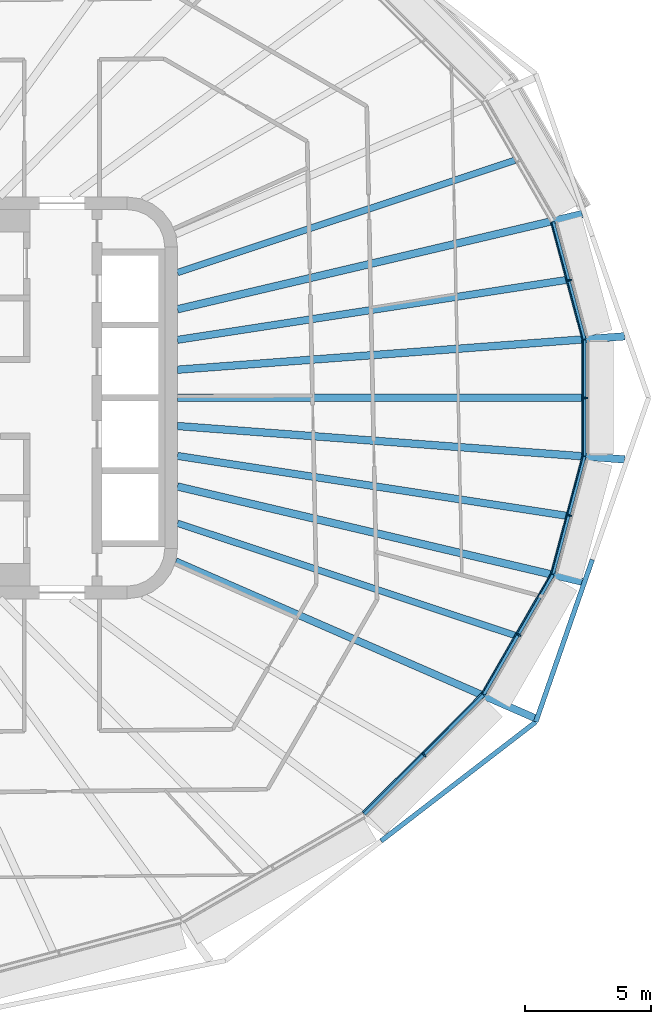
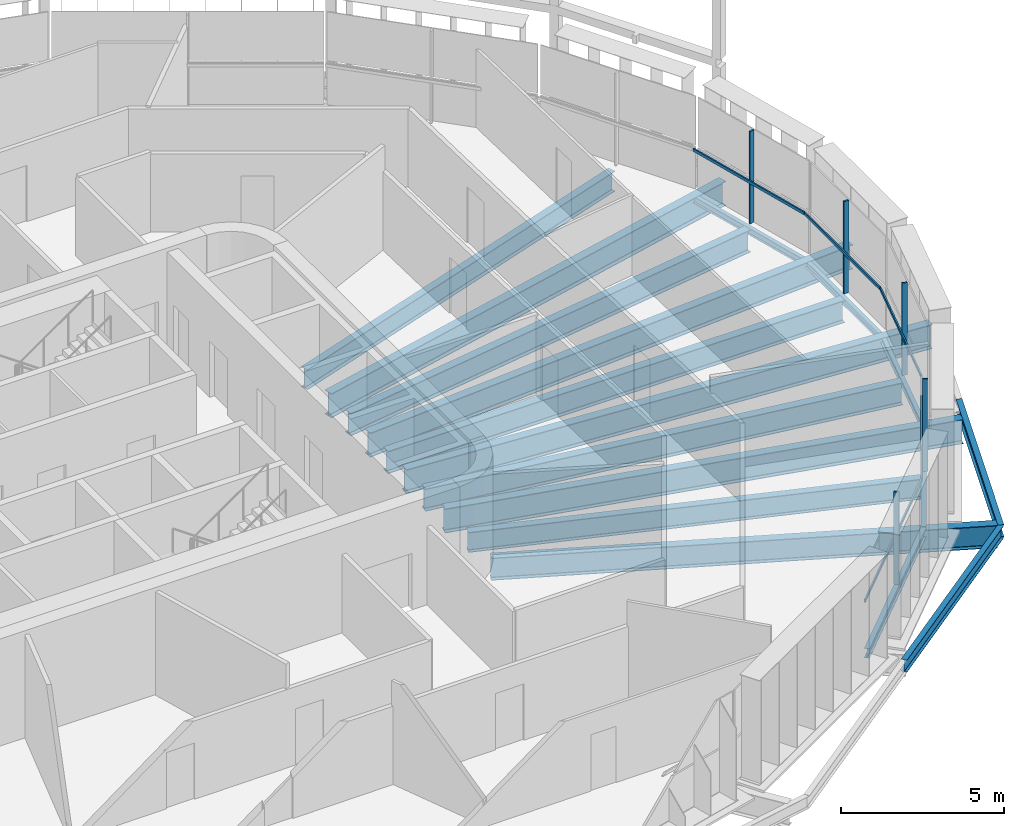
# One storey, part 5 of 24: 17 beams, 10 members, 5 elements without a shape of their own.
"""IFC4 building model written with IfcOpenShell, lengths in metres."""

from ifc_helpers import new_model, si_unit, direction, frame, origin, origin_2d, place, context, subcontext, project, spatial, rectangle, i_section, extrude, material, layer, layer_set, material_profile, profile_set, type_object, element, aggregate, save


model = new_model("IFC4")

# Units and contexts
model_context = context("Model", 3, precision=1e-05, world=origin(), true_north=direction((0.0, 1.0)))
body_context = subcontext(model_context, "Body", "Model", "MODEL_VIEW")
ifc_project = project(units=[si_unit("LENGTHUNIT", "METRE"), si_unit("AREAUNIT", "SQUARE_METRE"), si_unit("VOLUMEUNIT", "CUBIC_METRE"), si_unit("PLANEANGLEUNIT", "RADIAN"), si_unit("MASSUNIT", "GRAM", prefix="KILO")], contexts=[model_context])

# Site, building, storey
site_placement = place(None, origin())
site = spatial("IfcSite", under=ifc_project, at=site_placement, CompositionType="ELEMENT")
building_placement = place(site_placement, origin())
building = spatial("IfcBuilding", under=site, at=building_placement, Name="Sahrelin Media Tower", CompositionType="ELEMENT")
storey_placement = place(building_placement, frame((0.0, 0.0, 153.60009765625)))
storey = spatial("IfcBuildingStorey", under=building, at=storey_placement, Name="L31", CompositionType="ELEMENT", Elevation=153.60009765625)

# Beams
ifc_material_1 = material(Name="Steel S355", Category="steel")
ifc_material_profile_1 = material_profile(ifc_material_1, i_section(OverallWidth=0.14599609375, OverallDepth=0.25146484375, WebThickness=0.006103515625, FlangeThickness=0.008544921875, FilletRadius=0.007568359375, at=origin_2d()), Name="UB 254x146x31")
ifc_profile_set_1 = profile_set([ifc_material_profile_1], Name="Steel S355")
beam_type_1 = type_object("IfcBeamType", Name="Edge beam EB1", PredefinedType="BEAM", material=ifc_profile_set_1)
beam_1_placement = place(storey_placement, frame((31.201416015625, 2.30859375, -0.27587890625), z_axis=(0.0, -1.0, 0.0), x_axis=(1.0, 0.0, 0.0)))
element("IfcBeam", 1, at=beam_1_placement, inside=storey, type_object=beam_type_1, Name="Edge beam L31-01", PredefinedType="BEAM", context=body_context, shape_type="SweptSolid", body=[
    extrude(i_section(OverallWidth=0.14599609375, OverallDepth=0.25146484375, WebThickness=0.006103515625, FlangeThickness=0.008544921875, FilletRadius=0.007568359375, at=origin_2d()), origin(), (0.0, 0.0, 1.0), 4.6171875),
])
for number, where, z_axis, x_axis, name in (
    (2, (31.19775390625, -2.33740234375, -0.27587890625), (-0.258800908736, -0.965930685731, 0.0), (0.965930685731, -0.258800908736, 0.0), "Edge beam L31-02"),
    (3, (29.947265625, 7.004638671875, -0.27587890625), (0.258800908736, -0.965930685731, 0.0), (0.965930685731, 0.258800908736, 0.0), "Edge beam L31-24"),
):
    element("IfcBeam", number, at=place(storey_placement, frame(where, z_axis=z_axis, x_axis=x_axis)), inside=storey, type_object=beam_type_1, Name=name, PredefinedType="BEAM", context=body_context, shape_type="SweptSolid", body=[
        extrude(i_section(OverallWidth=0.14599609375, OverallDepth=0.25146484375, WebThickness=0.006103515625, FlangeThickness=0.008544921875, FilletRadius=0.007568359375, at=origin_2d()), origin(), (0.0, 0.0, 1.0), 4.831787109375),
    ])
ifc_material_profile_2 = material_profile(ifc_material_1, i_section(OverallWidth=0.1650390625, OverallDepth=0.303466796875, WebThickness=0.006103515625, FlangeThickness=0.01025390625, FilletRadius=0.0087890625, at=origin_2d()), Name="UB 305x165x40")
ifc_profile_set_2 = profile_set([ifc_material_profile_2], Name="Steel S355")
beam_type_2 = type_object("IfcBeamType", Name="Edge beam EB2", PredefinedType="BEAM", material=ifc_profile_set_2)
beam_2_placement = place(storey_placement, frame((29.936279296875, -7.03125, -0.3017578125), z_axis=(-0.499996181239, -0.866027608536, 0.0), x_axis=(0.866027608536, -0.499996181239, 0.0)))
element("IfcBeam", 4, at=beam_2_placement, inside=storey, type_object=beam_type_2, Name="Edge beam L31-03", PredefinedType="BEAM", context=body_context, shape_type="SweptSolid", body=[
    extrude(i_section(OverallWidth=0.1650390625, OverallDepth=0.303466796875, WebThickness=0.006103515625, FlangeThickness=0.01025390625, FilletRadius=0.0087890625, at=origin_2d()), origin(), (0.0, 0.0, 1.0), 5.50732421875),
])
ifc_material_profile_3 = material_profile(ifc_material_1, i_section(OverallWidth=0.17138671875, OverallDepth=0.35498046875, WebThickness=0.00732421875, FlangeThickness=0.011474609375, FilletRadius=0.01025390625, at=origin_2d()), Name="UB 356x171x51")
ifc_profile_set_3 = profile_set([ifc_material_profile_3], Name="Steel S355")
beam_type_3 = type_object("IfcBeamType", Name="Edge beam EB3", PredefinedType="BEAM", material=ifc_profile_set_3)
beam_3_placement = place(storey_placement, frame((27.1650390625, -11.823486328125, -0.32763671875), z_axis=(-0.707088574851, -0.707124987054, 0.0), x_axis=(0.707124987054, -0.707088574851, 0.0)))
element("IfcBeam", 5, at=beam_3_placement, inside=storey, type_object=beam_type_3, Name="Edge beam L31-04", PredefinedType="BEAM", context=body_context, shape_type="SweptSolid", body=[
    extrude(i_section(OverallWidth=0.17138671875, OverallDepth=0.35498046875, WebThickness=0.00732421875, FlangeThickness=0.011474609375, FilletRadius=0.01025390625, at=origin_2d()), origin(), (0.0, 0.0, 1.0), 6.704833984375),
])

# Curtain wall, member
ifc_material_2 = material(Name="Champagne anodised aluminium 6063-T6", Category="aluminium")
ifc_layer = layer(ifc_material_2, 0.14990234375)
ifc_layer_set = layer_set([ifc_layer], Name="Tower ribbon curtain wall")
curtain_wall_type = type_object("IfcCurtainWallType", Name="Tower ribbon curtain wall", PredefinedType="NOTDEFINED", material=ifc_layer_set)
curtain_wall_1_placement = place(storey_placement, frame((31.3515625, 0.0, 0.0), z_axis=(0.0, 0.0, 1.0), x_axis=(1.0, 0.0, 0.0)))
curtain_wall_1 = element("IfcCurtainWall", 6, at=curtain_wall_1_placement, inside=storey, type_object=curtain_wall_type, Name="L31:CW:L31-00", PredefinedType="NOTDEFINED")
ifc_material_profile_4 = material_profile(ifc_material_2, rectangle(XDim=0.06005859375, YDim=0.175048828125, at=origin_2d()), Name="Mullion 60x175")
ifc_profile_set_4 = profile_set([ifc_material_profile_4], Name="Champagne anodised aluminium 6063-T6")
member_type_1 = type_object("IfcMemberType", Name="Mullion 60x175 CW1B", PredefinedType="MULLION", material=ifc_profile_set_4)
member_1_placement = place(storey_placement, frame((31.243896484375, 0.0, 0.0), z_axis=(0.0, 0.0, 1.0), x_axis=(0.0, 1.0, 0.0)))
member_1 = element("IfcMember", 7, at=member_1_placement, type_object=member_type_1, Name="L31:CWM:L31-00", PredefinedType="MULLION", context=body_context, shape_type="SweptSolid", body=[
    extrude(rectangle(XDim=0.06005859375, YDim=0.175048828125, at=origin_2d()), origin(), (0.0, 0.0, 1.0), 3.448486328125),
])

curtain_wall_2_placement = place(storey_placement, frame((30.71728515625, 4.709716796875, 0.0), z_axis=(0.0, 0.0, 1.0), x_axis=(1.0, 0.0, 0.0)))
curtain_wall_2 = element("IfcCurtainWall", 8, at=curtain_wall_2_placement, inside=storey, type_object=curtain_wall_type, Name="L31:CW:L31-01", PredefinedType="NOTDEFINED")
member_2_placement = place(storey_placement, frame((30.613525390625, 4.681884765625, 0.0), z_axis=(0.0, 0.0, 1.0), x_axis=(-0.258807244073, 0.965928988288, 0.0)))
member_2 = element("IfcMember", 9, at=member_2_placement, type_object=member_type_1, Name="L31:CWM:L31-01", PredefinedType="MULLION", context=body_context, shape_type="SweptSolid", body=[
    extrude(rectangle(XDim=0.06005859375, YDim=0.175048828125, at=origin_2d()), origin(), (0.0, 0.0, 1.0), 3.448486328125),
])

curtain_wall_3_placement = place(storey_placement, frame((24.900390625, -14.300048828125, 0.0), z_axis=(0.0, 0.0, 1.0), x_axis=(1.0, 0.0, 0.0)))
curtain_wall_3 = element("IfcCurtainWall", 10, at=curtain_wall_3_placement, inside=storey, type_object=curtain_wall_type, Name="L31:CW:L31-21", PredefinedType="NOTDEFINED")
member_3_placement = place(storey_placement, frame((24.824462890625, -14.22412109375, 0.0), z_axis=(0.0, 0.0, 1.0), x_axis=(0.707106781187, 0.707106781187, 0.0)))
member_3 = element("IfcMember", 11, at=member_3_placement, type_object=member_type_1, Name="L31:CWM:L31-21", PredefinedType="MULLION", context=body_context, shape_type="SweptSolid", body=[
    extrude(rectangle(XDim=0.06005859375, YDim=0.175048828125, at=origin_2d()), origin(), (0.0, 0.0, 1.0), 3.448486328125),
])

curtain_wall_4_placement = place(storey_placement, frame((28.689208984375, -9.490966796875, 0.0), z_axis=(0.0, 0.0, 1.0), x_axis=(1.0, 0.0, 0.0)))
curtain_wall_4 = element("IfcCurtainWall", 12, at=curtain_wall_4_placement, inside=storey, type_object=curtain_wall_type, Name="L31:CW:L31-22", PredefinedType="NOTDEFINED")
member_4_placement = place(storey_placement, frame((28.59619140625, -9.437255859375, 0.0), z_axis=(0.0, 0.0, 1.0), x_axis=(0.4999984885, 0.866026276448, 0.0)))
member_4 = element("IfcMember", 13, at=member_4_placement, type_object=member_type_1, Name="L31:CWM:L31-22", PredefinedType="MULLION", context=body_context, shape_type="SweptSolid", body=[
    extrude(rectangle(XDim=0.06005859375, YDim=0.175048828125, at=origin_2d()), origin(), (0.0, 0.0, 1.0), 3.448486328125),
])

curtain_wall_5_placement = place(storey_placement, frame((30.71728515625, -4.709716796875, 0.0), z_axis=(0.0, 0.0, 1.0), x_axis=(1.0, 0.0, 0.0)))
curtain_wall_5 = element("IfcCurtainWall", 14, at=curtain_wall_5_placement, inside=storey, type_object=curtain_wall_type, Name="L31:CW:L31-23", PredefinedType="NOTDEFINED")
member_5_placement = place(storey_placement, frame((30.613525390625, -4.681884765625, 0.0), z_axis=(0.0, 0.0, 1.0), x_axis=(0.258807244073, 0.965928988288, 0.0)))
member_5 = element("IfcMember", 15, at=member_5_placement, type_object=member_type_1, Name="L31:CWM:L31-23", PredefinedType="MULLION", context=body_context, shape_type="SweptSolid", body=[
    extrude(rectangle(XDim=0.06005859375, YDim=0.175048828125, at=origin_2d()), origin(), (0.0, 0.0, 1.0), 3.448486328125),
])

# Beams
ifc_material_profile_5 = material_profile(ifc_material_1, i_section(OverallWidth=0.291748046875, OverallDepth=0.8349609375, WebThickness=0.013916015625, FlangeThickness=0.018798828125, FilletRadius=0.017822265625, at=origin_2d()), Name="UB 838x292x176")
ifc_profile_set_5 = profile_set([ifc_material_profile_5], Name="Steel S355")
beam_type_4 = type_object("IfcBeamType", Name="Radial primary beam PB10", PredefinedType="BEAM", material=ifc_profile_set_5)
beam_4_placement = place(storey_placement, frame((14.9326171875, -6.51318359375, -0.567626953125), z_axis=(0.916604172492, -0.399795936661, 0.0), x_axis=(0.399795936661, 0.916604172492, 0.0)))
element("IfcBeam", 16, at=beam_4_placement, inside=storey, type_object=beam_type_4, Name="Radial beam L31-22", PredefinedType="BEAM", context=body_context, shape_type="SweptSolid", body=[
    extrude(i_section(OverallWidth=0.291748046875, OverallDepth=0.8349609375, WebThickness=0.013916015625, FlangeThickness=0.018798828125, FilletRadius=0.017822265625, at=origin_2d()), origin(), (0.0, 0.0, 1.0), 15.592041015625),
])
ifc_material_profile_6 = material_profile(ifc_material_1, i_section(OverallWidth=0.30322265625, OverallDepth=0.903076171875, WebThickness=0.01513671875, FlangeThickness=0.020263671875, FilletRadius=0.01904296875, at=origin_2d()), Name="UB 914x305x201")
ifc_profile_set_6 = profile_set([ifc_material_profile_6], Name="Steel S355")
beam_type_5 = type_object("IfcBeamType", Name="Radial primary beam PB11", PredefinedType="BEAM", material=ifc_profile_set_6)
beam_5_placement = place(storey_placement, frame((15.0, 1.12109375, -0.6015625), z_axis=(0.997219385558, 0.074521789215, 0.0), x_axis=(-0.074521789215, 0.997219385558, 0.0)))
element("IfcBeam", 17, at=beam_5_placement, inside=storey, type_object=beam_type_5, Name="Radial beam L31-01", PredefinedType="BEAM", context=body_context, shape_type="SweptSolid", body=[
    extrude(i_section(OverallWidth=0.30322265625, OverallDepth=0.903076171875, WebThickness=0.01513671875, FlangeThickness=0.020263671875, FilletRadius=0.01904296875, at=origin_2d()), origin(), (0.0, 0.0, 1.0), 17.85791015625),
])
for number, where, z_axis, x_axis, name in (
    (18, (15.0, 3.528564453125, -0.6015625), (0.973430706037, 0.228981790857, 0.0), (-0.228981790857, 0.973430706037, 0.0), "Radial beam L31-02"),
    (19, (15.0, -3.528564453125, -0.6015625), (0.973430706037, -0.228981790857, 0.0), (0.228981790857, 0.973430706037, 0.0), "Radial beam L31-23"),
):
    element("IfcBeam", number, at=place(storey_placement, frame(where, z_axis=z_axis, x_axis=x_axis)), inside=storey, type_object=beam_type_5, Name=name, PredefinedType="BEAM", context=body_context, shape_type="SweptSolid", body=[
        extrude(i_section(OverallWidth=0.30322265625, OverallDepth=0.903076171875, WebThickness=0.01513671875, FlangeThickness=0.020263671875, FilletRadius=0.01904296875, at=origin_2d()), origin(), (0.0, 0.0, 1.0), 16.553955078125),
    ])
beam_6_placement = place(storey_placement, frame((15.0, -1.12109375, -0.6015625), z_axis=(0.997219385558, -0.074521789215, 0.0), x_axis=(0.074521789215, 0.997219385558, 0.0)))
element("IfcBeam", 20, at=beam_6_placement, inside=storey, type_object=beam_type_5, Name="Radial beam L31-24", PredefinedType="BEAM", context=body_context, shape_type="SweptSolid", body=[
    extrude(i_section(OverallWidth=0.30322265625, OverallDepth=0.903076171875, WebThickness=0.01513671875, FlangeThickness=0.020263671875, FilletRadius=0.01904296875, at=origin_2d()), origin(), (0.0, 0.0, 1.0), 17.85791015625),
])
ifc_material_profile_7 = material_profile(ifc_material_1, i_section(OverallWidth=0.291748046875, OverallDepth=0.8349609375, WebThickness=0.013916015625, FlangeThickness=0.018798828125, FilletRadius=0.017822265625, at=origin_2d()), Name="UB 838x292x176")
ifc_profile_set_7 = profile_set([ifc_material_profile_7], Name="Steel S355")
beam_type_6 = type_object("IfcBeamType", Name="Radial secondary beam SB10", PredefinedType="BEAM", material=ifc_profile_set_7)
for number, where, z_axis, x_axis, name in (
    (21, (15.0, 2.310302734375, -0.567626953125), (0.988348454864, 0.152208185611, 0.0), (-0.152208185611, 0.988348454864, 0.0), "Secondary beam L31-01"),
    (22, (15.0, -2.310302734375, -0.567626953125), (0.988348454864, -0.152208185611, 0.0), (0.152208185611, 0.988348454864, 0.0), "Secondary beam L31-23"),
):
    element("IfcBeam", number, at=place(storey_placement, frame(where, z_axis=z_axis, x_axis=x_axis)), inside=storey, type_object=beam_type_6, Name=name, PredefinedType="BEAM", context=body_context, shape_type="SweptSolid", body=[
        extrude(i_section(OverallWidth=0.291748046875, OverallDepth=0.8349609375, WebThickness=0.013916015625, FlangeThickness=0.018798828125, FilletRadius=0.017822265625, at=origin_2d()), origin(), (0.0, 0.0, 1.0), 15.672607421875),
    ])
beam_7_placement = place(storey_placement, frame((15.0, 0.0, -0.567626953125), z_axis=(1.0, 0.0, 0.0), x_axis=(0.0, 1.0, 0.0)))
element("IfcBeam", 23, at=beam_7_placement, inside=storey, type_object=beam_type_6, Name="Secondary beam L31-24", PredefinedType="BEAM", context=body_context, shape_type="SweptSolid", body=[
    extrude(i_section(OverallWidth=0.291748046875, OverallDepth=0.8349609375, WebThickness=0.013916015625, FlangeThickness=0.018798828125, FilletRadius=0.017822265625, at=origin_2d()), origin(), (0.0, 0.0, 1.0), 16.12841796875),
])
ifc_material_profile_8 = material_profile(ifc_material_1, i_section(OverallWidth=0.26513671875, OverallDepth=0.75390625, WebThickness=0.0126953125, FlangeThickness=0.017578125, FilletRadius=0.0166015625, at=origin_2d()), Name="UB 762x267x147")
ifc_profile_set_8 = profile_set([ifc_material_profile_8], Name="Steel S355")
beam_type_7 = type_object("IfcBeamType", Name="Radial secondary beam SB9", PredefinedType="BEAM", material=ifc_profile_set_8)
for number, where, z_axis, x_axis, name in (
    (24, (15.0, 4.990234375, -0.527099609375), (0.948867590332, 0.315674351219, 0.0), (-0.315674351219, 0.948867590332, 0.0), "Secondary beam L31-02"),
    (25, (15.0, -4.990234375, -0.527099609375), (0.948867590332, -0.315674351219, 0.0), (0.315674351219, 0.948867590332, 0.0), "Secondary beam L31-22"),
):
    element("IfcBeam", number, at=place(storey_placement, frame(where, z_axis=z_axis, x_axis=x_axis)), inside=storey, type_object=beam_type_7, Name=name, PredefinedType="BEAM", context=body_context, shape_type="SweptSolid", body=[
        extrude(i_section(OverallWidth=0.26513671875, OverallDepth=0.75390625, WebThickness=0.0126953125, FlangeThickness=0.017578125, FilletRadius=0.0166015625, at=origin_2d()), origin(), (0.0, 0.0, 1.0), 14.162353515625),
    ])
ifc_material_profile_9 = material_profile(ifc_material_1, i_section(OverallWidth=0.1904296875, OverallDepth=0.45703125, WebThickness=0.009033203125, FlangeThickness=0.014404296875, FilletRadius=0.01025390625, at=origin_2d()), Name="UB 457x191x74")
ifc_profile_set_9 = profile_set([ifc_material_profile_9], Name="Steel S355")
beam_type_8 = type_object("IfcBeamType", Name="Tie chord TC5", PredefinedType="BEAM", material=ifc_profile_set_9)
beam_8_placement = place(storey_placement, frame((31.520263671875, -6.44140625, -0.378662109375), z_axis=(-0.328754464222, -0.944415428852, 0.0), x_axis=(0.944415428852, -0.328754464222, 0.0)))
element("IfcBeam", 26, at=beam_8_placement, inside=storey, type_object=beam_type_8, Name="Tie chord L31-02", PredefinedType="BEAM", context=body_context, shape_type="SweptSolid", body=[
    extrude(i_section(OverallWidth=0.1904296875, OverallDepth=0.45703125, WebThickness=0.009033203125, FlangeThickness=0.014404296875, FilletRadius=0.01025390625, at=origin_2d()), origin(), (0.0, 0.0, 1.0), 6.84326171875),
])
beam_9_placement = place(storey_placement, frame((29.2705078125, -12.904296875, -0.378662109375), z_axis=(-0.7924640011, -0.60991868881, 0.0), x_axis=(0.60991868881, -0.7924640011, 0.0)))
element("IfcBeam", 27, at=beam_9_placement, inside=storey, type_object=beam_type_8, Name="Tie chord L31-03", PredefinedType="BEAM", context=body_context, shape_type="SweptSolid", body=[
    extrude(i_section(OverallWidth=0.1904296875, OverallDepth=0.45703125, WebThickness=0.009033203125, FlangeThickness=0.014404296875, FilletRadius=0.01025390625, at=origin_2d()), origin(), (0.0, 0.0, 1.0), 7.773193359375),
])

# Member
ifc_material_profile_10 = material_profile(ifc_material_2, rectangle(XDim=0.050048828125, YDim=0.110107421875, at=origin_2d()), Name="Transom 50x110")
ifc_profile_set_10 = profile_set([ifc_material_profile_10], Name="Champagne anodised aluminium 6063-T6")
member_type_2 = type_object("IfcMemberType", Name="Transom 50x110 CW1B", PredefinedType="USERDEFINED", material=ifc_profile_set_10)
member_6_placement = place(storey_placement, frame((31.131591796875, -2.29296875, 1.599853515625), z_axis=(0.0, 1.0, 0.0), x_axis=(-1.0, 0.0, 0.0)))
member_6 = element("IfcMember", 28, at=member_6_placement, type_object=member_type_2, Name="L31:CWT:L31-00", ObjectType="TRANSOM", PredefinedType="USERDEFINED", context=body_context, shape_type="SweptSolid", body=[
    extrude(rectangle(XDim=0.050048828125, YDim=0.110107421875, at=origin_2d()), origin(), (0.0, 0.0, 1.0), 4.5859375),
])

aggregate(curtain_wall_1, [member_1, member_6])

member_7_placement = place(storey_placement, frame((31.126220703125, 2.33447265625, 1.599853515625), z_axis=(-0.25885894947, 0.965915133063, 0.0), x_axis=(-0.965915133063, -0.25885894947, 0.0)))
member_7 = element("IfcMember", 29, at=member_7_placement, type_object=member_type_2, Name="L31:CWT:L31-01", ObjectType="TRANSOM", PredefinedType="USERDEFINED", context=body_context, shape_type="SweptSolid", body=[
    extrude(rectangle(XDim=0.050048828125, YDim=0.110107421875, at=origin_2d()), origin(), (0.0, 0.0, 1.0), 4.800537109375),
])

aggregate(curtain_wall_2, [member_2, member_7])

member_8_placement = place(storey_placement, frame((22.385498046875, -16.50390625, 1.599853515625), z_axis=(0.707125072767, 0.707088489133, 0.0), x_axis=(-0.707088489133, 0.707125072767, 0.0)))
member_8 = element("IfcMember", 30, at=member_8_placement, type_object=member_type_2, Name="L31:CWT:L31-21", ObjectType="TRANSOM", PredefinedType="USERDEFINED", context=body_context, shape_type="SweptSolid", body=[
    extrude(rectangle(XDim=0.050048828125, YDim=0.110107421875, at=origin_2d()), origin(), (0.0, 0.0, 1.0), 6.673583984375),
])

aggregate(curtain_wall_3, [member_3, member_8])

member_9_placement = place(storey_placement, frame((27.1298828125, -11.752197265625, 1.599853515625), z_axis=(0.49998489776, 0.866034122891, 0.0), x_axis=(-0.866034122891, 0.49998489776, 0.0)))
member_9 = element("IfcMember", 31, at=member_9_placement, type_object=member_type_2, Name="L31:CWT:L31-22", ObjectType="TRANSOM", PredefinedType="USERDEFINED", context=body_context, shape_type="SweptSolid", body=[
    extrude(rectangle(XDim=0.050048828125, YDim=0.110107421875, at=origin_2d()), origin(), (0.0, 0.0, 1.0), 5.475830078125),
])

aggregate(curtain_wall_4, [member_4, member_9])

member_10_placement = place(storey_placement, frame((29.883544921875, -6.971435546875, 1.599853515625), z_axis=(0.25885894947, 0.965915133063, 0.0), x_axis=(-0.965915133063, 0.25885894947, 0.0)))
member_10 = element("IfcMember", 32, at=member_10_placement, type_object=member_type_2, Name="L31:CWT:L31-23", ObjectType="TRANSOM", PredefinedType="USERDEFINED", context=body_context, shape_type="SweptSolid", body=[
    extrude(rectangle(XDim=0.050048828125, YDim=0.110107421875, at=origin_2d()), origin(), (0.0, 0.0, 1.0), 4.800537109375),
])

aggregate(curtain_wall_5, [member_5, member_10])

save(model, "model.ifc")
